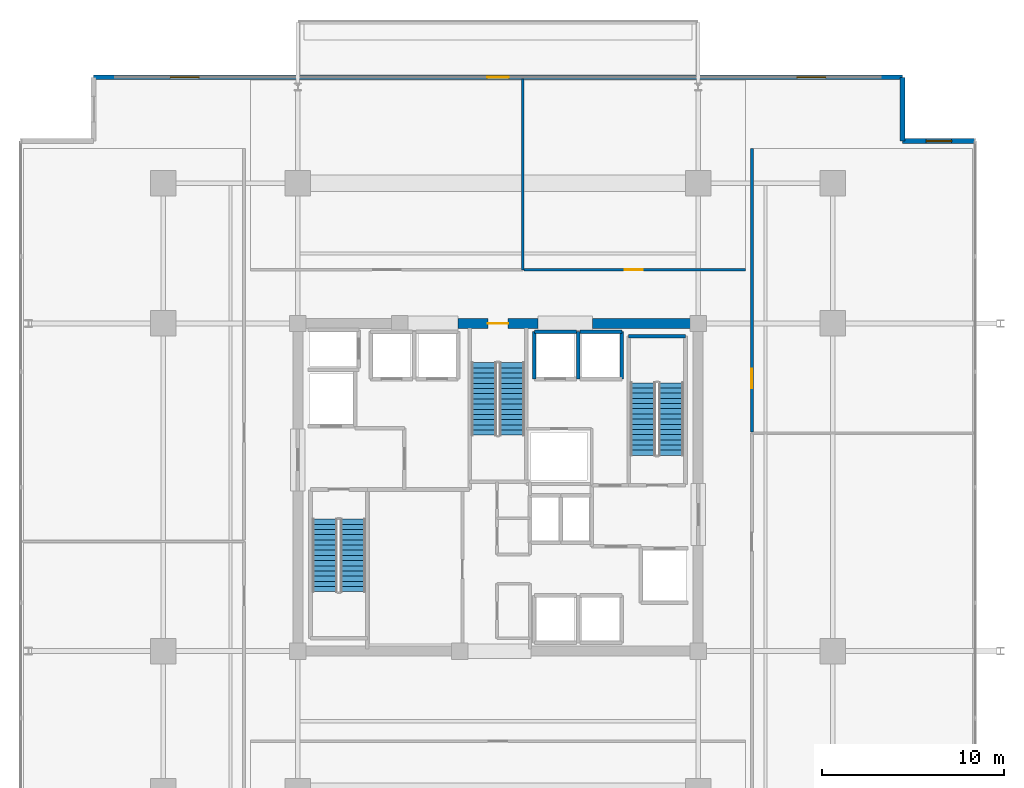
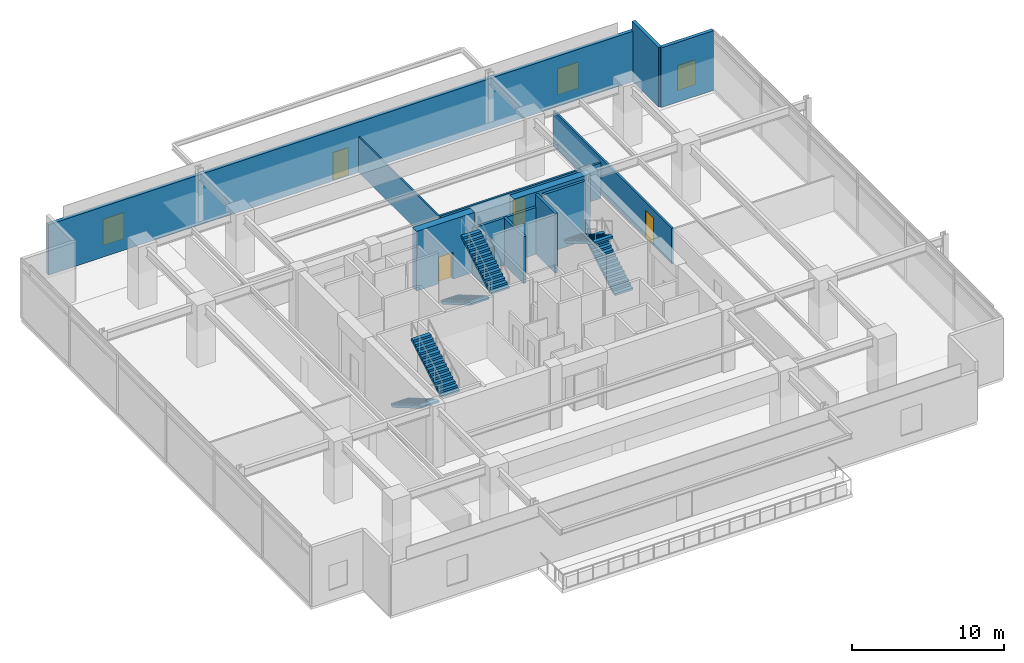
# One storey, part 16 of 21: 14 walls, 6 stair flights, 4 doors, 3 windows, 7 openings, 3 elements without a shape of their own.
"""IFC4 building model written with IfcOpenShell, lengths in metres."""

from ifc_helpers import new_model, si_unit, direction, frame, frame_2d, origin, place, context, subcontext, project, spatial, polyline, rectangle, outline, extrude, material, layer, layer_set, type_object, element, fill, aggregate, save


model = new_model("IFC4")

# Units and contexts
model_context = context("Model", 3, precision=1e-05, world=origin(), true_north=direction((0.0, 1.0)))
body_context = subcontext(model_context, "Body", "Model", "MODEL_VIEW")
ifc_project = project(units=[si_unit("LENGTHUNIT", "METRE"), si_unit("AREAUNIT", "SQUARE_METRE"), si_unit("VOLUMEUNIT", "CUBIC_METRE"), si_unit("PLANEANGLEUNIT", "RADIAN"), si_unit("MASSUNIT", "GRAM", prefix="KILO")], contexts=[model_context])

# Site, building, storey
site_placement = place(None, origin())
site = spatial("IfcSite", under=ifc_project, at=site_placement, CompositionType="ELEMENT")
building_placement = place(site_placement, origin())
building = spatial("IfcBuilding", under=site, at=building_placement, Name="Kovane Verandah Tower", CompositionType="ELEMENT")
storey_placement = place(building_placement, frame((0.0, 0.0, 238.199951171875)))
storey = spatial("IfcBuildingStorey", under=building, at=storey_placement, Name="L55", CompositionType="ELEMENT", Elevation=238.199951171875)

# Wall, opening, door
ifc_material_1 = material(Name="Fire-Rated Gypsum Stud Partition", Category="gypsum")
ifc_layer_1 = layer(ifc_material_1, 0.14990234375)
ifc_layer_set_1 = layer_set([ifc_layer_1], Name="Fire-Rated Gypsum Stud Partition")
wall_type_1 = type_object("IfcWallType", Name="WL-COR-150", PredefinedType="PARTITIONING", material=ifc_layer_set_1)
wall_1_placement = place(storey_placement, frame((41.429931640625, 39.449951171875, 0.0), z_axis=(0.0, 0.0, 1.0), x_axis=(1.0, 0.0, 0.0)))
wall_1 = element("IfcWall", 1, at=wall_1_placement, inside=storey, type_object=wall_type_1, Name="L55 Focus Studio N2 Corridor Partition", PredefinedType="PARTITIONING", context=body_context, shape_type="SweptSolid", body=[
    extrude(rectangle(XDim=12.170166015625, YDim=0.14990234375, at=frame_2d((6.0849609375, 0.0))), origin(), (0.0, 0.0, 1.0), 2.85009765625),
])
opening_1_placement = place(wall_1_placement, frame((5.534912109375, 0.0, 0.0)))
opening_1 = element("IfcOpeningElement", 2, at=opening_1_placement, cuts=wall_1, Name="Opening DR-L55-016", PredefinedType="OPENING", context=body_context, shape_type="SweptSolid", body=[
    extrude(rectangle(XDim=1.0, YDim=2.14990234375, at=frame_2d((0.5, 1.074951171875))), frame((0.0, 0.074951171875, 0.0), z_axis=(0.0, -1.0, 0.0), x_axis=(1.0, 0.0, 0.0)), (0.0, 0.0, 1.0), 0.14990234375),
])
ifc_material_2 = material(Name="FSC Spotted-Gum Timber Fire-Rated Office Door", Category="wood")
door_type_1 = type_object("IfcDoorType", Name="DR-OFF-1000", OperationType="SINGLE_SWING_LEFT", PredefinedType="DOOR", material=ifc_material_2)
door_1_placement = place(opening_1_placement, origin())
door_1 = element("IfcDoor", 3, at=door_1_placement, inside=storey, type_object=door_type_1, Name="L55 Focus Studio N2 Entrance Door", OperationType="SINGLE_SWING_RIGHT", OverallHeight=2.14990234375, OverallWidth=1.0, PredefinedType="DOOR", context=body_context, shape_type="SweptSolid", body=[
    extrude(rectangle(XDim=1.0, YDim=2.14990234375, at=frame_2d((0.5, 1.074951171875))), frame((0.0, 0.02490234375, 0.0), z_axis=(0.0, -1.0, 0.0), x_axis=(1.0, 0.0, 0.0)), (0.0, 0.0, 1.0), 0.050048828125),
])
fill(opening_1, door_1)

wall_2_placement = place(storey_placement, frame((53.949951171875, 30.5498046875, 0.0), z_axis=(0.0, 0.0, 1.0), x_axis=(0.0, 1.0, 0.0)))
wall_2 = element("IfcWall", 4, at=wall_2_placement, inside=storey, type_object=wall_type_1, Name="L55 Executive Office E2 Corridor Partition", PredefinedType="PARTITIONING", context=body_context, shape_type="SweptSolid", body=[
    extrude(rectangle(XDim=15.573486328125, YDim=0.14990234375, at=frame_2d((7.78662109375, 0.0))), origin(), (0.0, 0.0, 1.0), 2.85009765625),
])
opening_2_placement = place(wall_2_placement, frame((2.400146484375, 0.0, 0.0)))
opening_2 = element("IfcOpeningElement", 5, at=opening_2_placement, cuts=wall_2, Name="Opening DR-L55-012", PredefinedType="OPENING", context=body_context, shape_type="SweptSolid", body=[
    extrude(rectangle(XDim=1.050048828125, YDim=2.199951171875, at=frame_2d((0.52490234375, 1.10009765625))), frame((0.0, 0.074951171875, 0.0), z_axis=(0.0, -1.0, 0.0), x_axis=(1.0, 0.0, 0.0)), (0.0, 0.0, 1.0), 0.14990234375),
])
ifc_material_3 = material(Name="FSC Blackbutt Timber Fire-Rated Executive Door", Category="wood")
door_type_2 = type_object("IfcDoorType", Name="DR-EXEC-1050", OperationType="SINGLE_SWING_LEFT", PredefinedType="DOOR", material=ifc_material_3)
door_2_placement = place(opening_2_placement, origin())
door_2 = element("IfcDoor", 6, at=door_2_placement, inside=storey, type_object=door_type_2, Name="L55 Executive Office E2 Entrance Door", OperationType="SINGLE_SWING_LEFT", OverallHeight=2.199951171875, OverallWidth=1.050048828125, PredefinedType="DOOR", context=body_context, shape_type="SweptSolid", body=[
    extrude(rectangle(XDim=1.050048828125, YDim=2.199951171875, at=frame_2d((0.52490234375, 1.10009765625))), frame((0.0, 0.02490234375, 0.0), z_axis=(0.0, -1.0, 0.0), x_axis=(1.0, 0.0, 0.0)), (0.0, 0.0, 1.0), 0.050048828125),
])
fill(opening_2, door_2)

ifc_material_4 = material(Name="Concrete C60/75", Category="concrete")
ifc_layer_2 = layer(ifc_material_4, 0.550048828125)
ifc_layer_set_2 = layer_set([ifc_layer_2], Name="Concrete C60/75")
wall_type_2 = type_object("IfcWallType", Name="WL-CORE-550", PredefinedType="SHEAR", material=ifc_layer_set_2)
wall_3_placement = place(storey_placement, frame((37.800048828125, 36.5, 0.0), z_axis=(0.0, 0.0, 1.0), x_axis=(1.0, 0.0, 0.0)))
wall_3 = element("IfcWall", 7, at=wall_3_placement, inside=storey, type_object=wall_type_2, Name="L55 Core Shear Wall CN-2", PredefinedType="SHEAR", context=body_context, shape_type="SweptSolid", body=[
    extrude(rectangle(XDim=4.39990234375, YDim=0.550048828125, at=frame_2d((2.199951171875, 0.0))), origin(), (0.0, 0.0, 1.0), 4.78515625),
])
opening_3_placement = place(wall_3_placement, frame((1.64990234375, 0.0, 0.0)))
opening_3 = element("IfcOpeningElement", 8, at=opening_3_placement, cuts=wall_3, Name="Opening DR-L55-010", PredefinedType="OPENING", context=body_context, shape_type="SweptSolid", body=[
    extrude(rectangle(XDim=1.10009765625, YDim=2.14990234375, at=frame_2d((0.550048828125, 1.074951171875))), frame((0.0, 0.27490234375, 0.0), z_axis=(0.0, -1.0, 0.0), x_axis=(1.0, 0.0, 0.0)), (0.0, 0.0, 1.0), 0.550048828125),
])
ifc_material_5 = material(Name="Fire-Rated Steel Exit Door", Category="steel")
door_type_3 = type_object("IfcDoorType", Name="DR-STAIR-1100", OperationType="SINGLE_SWING_LEFT", PredefinedType="DOOR", material=ifc_material_5)
door_3_placement = place(opening_3_placement, origin())
door_3 = element("IfcDoor", 9, at=door_3_placement, inside=storey, type_object=door_type_3, Name="L55 ST-03 Fire Exit Stair Door", OperationType="SINGLE_SWING_LEFT", OverallHeight=2.14990234375, OverallWidth=1.10009765625, PredefinedType="DOOR", context=body_context, shape_type="SweptSolid", body=[
    extrude(rectangle(XDim=1.10009765625, YDim=2.14990234375, at=frame_2d((0.550048828125, 1.074951171875))), frame((0.0, 0.02490234375, 0.0), z_axis=(0.0, -1.0, 0.0), x_axis=(1.0, 0.0, 0.0)), (0.0, 0.0, 1.0), 0.050048828125),
])
fill(opening_3, door_3)

# Walls
wall_4_placement = place(storey_placement, frame((45.199951171875, 36.5, 0.0), z_axis=(0.0, 0.0, 1.0), x_axis=(1.0, 0.0, 0.0)))
element("IfcWall", 10, at=wall_4_placement, inside=storey, type_object=wall_type_2, Name="L55 Core Shear Wall CN-3", PredefinedType="SHEAR", context=body_context, shape_type="SweptSolid", body=[
    extrude(rectangle(XDim=5.800048828125, YDim=0.550048828125, at=frame_2d((2.89990234375, 0.0))), origin(), (0.0, 0.0, 1.0), 4.78515625),
])
ifc_material_6 = material(Name="Concrete C45/55 Lift Shaft Wall", Category="concrete")
ifc_layer_3 = layer(ifc_material_6, 0.199951171875)
ifc_layer_set_3 = layer_set([ifc_layer_3], Name="Concrete C45/55 Lift Shaft Wall")
wall_type_3 = type_object("IfcWallType", Name="WL-LIFT-200", PredefinedType="SOLIDWALL", material=ifc_layer_set_3)
wall_5_placement = place(storey_placement, frame((44.300048828125, 36.050048828125, 0.0), z_axis=(0.0, 0.0, 1.0), x_axis=(-1.0, 0.0, 0.0)))
element("IfcWall", 11, at=wall_5_placement, inside=storey, type_object=wall_type_3, Name="L55 Lift SL-01 N Shaft Wall", PredefinedType="SOLIDWALL", context=body_context, shape_type="SweptSolid", body=[
    extrude(rectangle(XDim=2.300048828125, YDim=0.199951171875, at=frame_2d((1.14990234375, 0.0))), origin(), (0.0, 0.0, 1.0), 3.76513671875),
])
for number, where, z_axis, x_axis, name in (
    (12, (42.0, 36.050048828125, 0.0), (0.0, 0.0, 1.0), (0.0, -1.0, 0.0), "L55 Lift SL-01 W Shaft Wall"),
    (13, (44.39990234375, 33.449951171875, 0.0), (0.0, 0.0, 1.0), (0.0, 1.0, 0.0), "L55 Lift OL-01 and SL-01 Shared Shaft Wall"),
):
    element("IfcWall", number, at=place(storey_placement, frame(where, z_axis=z_axis, x_axis=x_axis)), inside=storey, type_object=wall_type_3, Name=name, PredefinedType="SOLIDWALL", context=body_context, shape_type="SweptSolid", body=[
        extrude(rectangle(XDim=2.60009765625, YDim=0.199951171875, at=frame_2d((1.300048828125, 0.0))), origin(), (0.0, 0.0, 1.0), 3.76513671875),
    ])
wall_6_placement = place(storey_placement, frame((46.800048828125, 36.050048828125, 0.0), z_axis=(0.0, 0.0, 1.0), x_axis=(-1.0, 0.0, 0.0)))
element("IfcWall", 14, at=wall_6_placement, inside=storey, type_object=wall_type_3, Name="L55 Lift OL-01 N Shaft Wall", PredefinedType="SOLIDWALL", context=body_context, shape_type="SweptSolid", body=[
    extrude(rectangle(XDim=2.300048828125, YDim=0.199951171875, at=frame_2d((1.14990234375, 0.0))), origin(), (0.0, 0.0, 1.0), 3.76513671875),
])
wall_7_placement = place(storey_placement, frame((46.800048828125, 33.449951171875, 0.0), z_axis=(0.0, 0.0, 1.0), x_axis=(0.0, 1.0, 0.0)))
element("IfcWall", 15, at=wall_7_placement, inside=storey, type_object=wall_type_3, Name="L55 Lift OL-01 E Shaft Wall", PredefinedType="SOLIDWALL", context=body_context, shape_type="SweptSolid", body=[
    extrude(rectangle(XDim=2.60009765625, YDim=0.199951171875, at=frame_2d((1.300048828125, 0.0))), origin(), (0.0, 0.0, 1.0), 4.78515625),
])
ifc_material_7 = material(Name="Acoustic Fire-Rated Gypsum Partition", Category="gypsum")
ifc_layer_4 = layer(ifc_material_7, 0.1201171875)
ifc_layer_set_4 = layer_set([ifc_layer_4], Name="Acoustic Fire-Rated Gypsum Partition")
wall_type_4 = type_object("IfcWallType", Name="WL-PART-120", PredefinedType="PARTITIONING", material=ifc_layer_set_4)
wall_8_placement = place(storey_placement, frame((41.360107421875, 39.449951171875, 0.0), z_axis=(0.0, 0.0, 1.0), x_axis=(0.0, 1.0, 0.0)))
element("IfcWall", 16, at=wall_8_placement, inside=storey, type_object=wall_type_4, Name="L55 Sky Lobby Transfer Lounge N1 Dividing Partition", PredefinedType="PARTITIONING", context=body_context, shape_type="SweptSolid", body=[
    extrude(rectangle(XDim=10.473388671875, YDim=0.1201171875, at=frame_2d((5.23681640625, 0.0))), origin(), (0.0, 0.0, 1.0), 2.85009765625),
])
ifc_material_8 = material(Name="Concrete C45/55", Category="concrete")
ifc_layer_5 = layer(ifc_material_8, 0.199951171875)
ifc_layer_set_5 = layer_set([ifc_layer_5], Name="Concrete C45/55")
wall_type_5 = type_object("IfcWallType", Name="WL-SHAFT-200", PredefinedType="SOLIDWALL", material=ifc_layer_set_5)
wall_9_placement = place(storey_placement, frame((47.179931640625, 35.800048828125, 0.0), z_axis=(0.0, 0.0, 1.0), x_axis=(1.0, 0.0, 0.0)))
element("IfcWall", 17, at=wall_9_placement, inside=storey, type_object=wall_type_5, Name="W-L55-ST02-N", PredefinedType="SOLIDWALL", context=body_context, shape_type="SweptSolid", body=[
    extrude(rectangle(XDim=3.1201171875, YDim=0.199951171875, at=frame_2d((1.56005859375, 0.0))), origin(), (0.0, 0.0, 1.0), 4.78515625),
])

# Wall, openings, door, windows
ifc_material_9 = material(Name="Concrete C45/55 Insulated Spandrel Wall", Category="concrete")
ifc_layer_6 = layer(ifc_material_9, 0.260009765625)
ifc_layer_set_6 = layer_set([ifc_layer_6], Name="Concrete C45/55 Insulated Spandrel Wall")
wall_type_6 = type_object("IfcWallType", Name="WL-SPANDREL-260", PredefinedType="PARAPET", material=ifc_layer_set_6)
wall_10_placement = place(storey_placement, frame((62.220703125, 50.0234375, 0.0), z_axis=(0.0, 0.0, 1.0), x_axis=(-1.0, 0.0, 0.0)))
wall_10 = element("IfcWall", 18, at=wall_10_placement, inside=storey, type_object=wall_type_6, Name="L55 N Verandah Access Facade Wall", PredefinedType="PARAPET", context=body_context, shape_type="SweptSolid", body=[
    extrude(rectangle(XDim=44.44140625, YDim=0.260009765625, at=frame_2d((22.220703125, 0.0))), origin(), (0.0, 0.0, 1.0), 4.047119140625),
])
opening_4_placement = place(wall_10_placement, frame((4.199951171875, 0.0, 0.85009765625)))
opening_4 = element("IfcOpeningElement", 19, at=opening_4_placement, cuts=wall_10, Name="Opening W-02", PredefinedType="OPENING", context=body_context, shape_type="SweptSolid", body=[
    extrude(rectangle(XDim=1.60009765625, YDim=2.10009765625, at=frame_2d((0.800048828125, 1.050048828125))), frame((0.0, 0.1298828125, 0.0), z_axis=(0.0, -1.0, 0.0), x_axis=(1.0, 0.0, 0.0)), (0.0, 0.0, 1.0), 0.260009765625),
])
opening_5_placement = place(wall_10_placement, frame((21.62060546875, 0.0, 0.0)))
opening_5 = element("IfcOpeningElement", 20, at=opening_5_placement, cuts=wall_10, Name="Opening DR-L55-001", PredefinedType="OPENING", context=body_context, shape_type="SweptSolid", body=[
    extrude(rectangle(XDim=1.199951171875, YDim=2.199951171875, at=frame_2d((0.60009765625, 1.10009765625))), frame((0.0, 0.1298828125, 0.0), z_axis=(0.0, -1.0, 0.0), x_axis=(1.0, 0.0, 0.0)), (0.0, 0.0, 1.0), 0.260009765625),
])
opening_6_placement = place(wall_10_placement, frame((38.64111328125, 0.0, 0.85009765625)))
opening_6 = element("IfcOpeningElement", 21, at=opening_6_placement, cuts=wall_10, Name="Opening W-02", PredefinedType="OPENING", context=body_context, shape_type="SweptSolid", body=[
    extrude(rectangle(XDim=1.60009765625, YDim=2.10009765625, at=frame_2d((0.800048828125, 1.050048828125))), frame((0.0, 0.1298828125, 0.0), z_axis=(0.0, -1.0, 0.0), x_axis=(1.0, 0.0, 0.0)), (0.0, 0.0, 1.0), 0.260009765625),
])
ifc_material_10 = material(Name="Cyclone-Rated Glazed Balcony Leaf Door", Category="aluminium")
door_type_4 = type_object("IfcDoorType", Name="DR-BAL-1200x2200", OperationType="SINGLE_SWING_LEFT", PredefinedType="DOOR", material=ifc_material_10)
door_4_placement = place(opening_5_placement, origin())
door_4 = element("IfcDoor", 22, at=door_4_placement, inside=storey, type_object=door_type_4, Name="L55 N Planted Balcony Access Door", OperationType="SINGLE_SWING_LEFT", OverallHeight=2.199951171875, OverallWidth=1.199951171875, PredefinedType="DOOR", context=body_context, shape_type="SweptSolid", body=[
    extrude(rectangle(XDim=1.199951171875, YDim=2.199951171875, at=frame_2d((0.60009765625, 1.10009765625))), frame((0.0, 0.02490234375, 0.0), z_axis=(0.0, -1.0, 0.0), x_axis=(1.0, 0.0, 0.0)), (0.0, 0.0, 1.0), 0.050048828125),
])
fill(opening_5, door_4)
ifc_material_11 = material(Name="Clear Low-E Laminated Double Glazing in Anodised Frame", Category="glass")
window_type_1 = type_object("IfcWindowType", Name="WN-OPER-1600x2100", PartitioningType="SINGLE_PANEL", PredefinedType="WINDOW", material=ifc_material_11)
window_1_placement = place(opening_4_placement, origin())
window_1 = element("IfcWindow", 23, at=window_1_placement, inside=storey, type_object=window_type_1, Name="L55 N Verandah View Window 1", OverallHeight=2.10009765625, OverallWidth=1.60009765625, PartitioningType="SINGLE_PANEL", PredefinedType="WINDOW", context=body_context, shape_type="SweptSolid", body=[
    extrude(rectangle(XDim=1.60009765625, YDim=2.10009765625, at=frame_2d((0.800048828125, 1.050048828125))), frame((0.0, 0.030029296875, 0.0), z_axis=(0.0, -1.0, 0.0), x_axis=(1.0, 0.0, 0.0)), (0.0, 0.0, 1.0), 0.06005859375),
])
fill(opening_4, window_1)
window_2_placement = place(opening_6_placement, origin())
window_2 = element("IfcWindow", 24, at=window_2_placement, inside=storey, type_object=window_type_1, Name="L55 N Verandah View Window 2", OverallHeight=2.10009765625, OverallWidth=1.60009765625, PartitioningType="SINGLE_PANEL", PredefinedType="WINDOW", context=body_context, shape_type="SweptSolid", body=[
    extrude(rectangle(XDim=1.60009765625, YDim=2.10009765625, at=frame_2d((0.800048828125, 1.050048828125))), frame((0.0, 0.030029296875, 0.0), z_axis=(0.0, -1.0, 0.0), x_axis=(1.0, 0.0, 0.0)), (0.0, 0.0, 1.0), 0.06005859375),
])
fill(opening_6, window_2)

# Wall, opening, window
wall_11_placement = place(storey_placement, frame((66.220703125, 46.5234375, 0.0), z_axis=(0.0, 0.0, 1.0), x_axis=(-1.0, 0.0, 0.0)))
wall_11 = element("IfcWall", 25, at=wall_11_placement, inside=storey, type_object=wall_type_6, Name="L55 NE Notch Cheek Wall 1", PredefinedType="PARAPET", context=body_context, shape_type="SweptSolid", body=[
    extrude(rectangle(XDim=4.0, YDim=0.260009765625, at=frame_2d((2.0, 0.0))), origin(), (0.0, 0.0, 1.0), 4.78515625),
])
opening_7_placement = place(wall_11_placement, frame((1.300048828125, 0.0, 0.85009765625)))
opening_7 = element("IfcOpeningElement", 26, at=opening_7_placement, cuts=wall_11, Name="Opening W-01", PredefinedType="OPENING", context=body_context, shape_type="SweptSolid", body=[
    extrude(rectangle(XDim=1.39990234375, YDim=2.0, at=frame_2d((0.699951171875, 1.0))), frame((0.0, 0.1298828125, 0.0), z_axis=(0.0, -1.0, 0.0), x_axis=(1.0, 0.0, 0.0)), (0.0, 0.0, 1.0), 0.260009765625),
])
window_type_2 = type_object("IfcWindowType", Name="WN-OPER-1400x2000", PartitioningType="SINGLE_PANEL", PredefinedType="WINDOW", material=ifc_material_11)
window_3_placement = place(opening_7_placement, origin())
window_3 = element("IfcWindow", 27, at=window_3_placement, inside=storey, type_object=window_type_2, Name="L55 NE Re-Entrant Corner Operable Window", OverallHeight=2.0, OverallWidth=1.39990234375, PartitioningType="SINGLE_PANEL", PredefinedType="WINDOW", context=body_context, shape_type="SweptSolid", body=[
    extrude(rectangle(XDim=1.39990234375, YDim=2.0, at=frame_2d((0.699951171875, 1.0))), frame((0.0, 0.030029296875, 0.0), z_axis=(0.0, -1.0, 0.0), x_axis=(1.0, 0.0, 0.0)), (0.0, 0.0, 1.0), 0.06005859375),
])
fill(opening_7, window_3)

# Wall
wall_12_placement = place(storey_placement, frame((62.220703125, 46.5234375, 0.0), z_axis=(0.0, 0.0, 1.0), x_axis=(0.0, 1.0, 0.0)))
element("IfcWall", 28, at=wall_12_placement, inside=storey, type_object=wall_type_6, Name="L55 NE Notch Cheek Wall 2", PredefinedType="PARAPET", context=body_context, shape_type="SweptSolid", body=[
    extrude(rectangle(XDim=3.5, YDim=0.260009765625, at=frame_2d((1.75, 0.0))), origin(), (0.0, 0.0, 1.0), 4.78515625),
])

# Stair, stair flights
stair_type = type_object("IfcStairType", Name="ST-CORE-1380", PredefinedType="HALF_TURN_STAIR", material=ifc_material_8)
stair_1_placement = place(storey_placement, origin())
stair_1 = element("IfcStair", 29, at=stair_1_placement, inside=storey, type_object=stair_type, Name="L55 Exit Stair ST-01", PredefinedType="HALF_TURN_STAIR")
stair_flight_type = type_object("IfcStairFlightType", Name="STF-CORE-1380", PredefinedType="STRAIGHT", material=ifc_material_8)
stair_flight_1_placement = place(storey_placement, frame((30.489990234375, 25.75, 0.0), z_axis=(0.0, 0.0, 1.0), x_axis=(0.0, -1.0, 0.0)))
stair_flight_1 = element("IfcStairFlight", 30, at=stair_flight_1_placement, type_object=stair_flight_type, Name="ST-01 flight 1", NumberOfRisers=15, NumberOfTreads=14, PredefinedType="STRAIGHT", RiserHeight=0.166666667, TreadLength=0.285, context=body_context, shape_type="SweptSolid", body=[
    extrude(outline(polyline([(0.0, 0.0), (0.0, 0.166748046875), (0.284912109375, 0.166748046875), (0.284912109375, 0.333251953125), (0.570068359375, 0.333251953125), (0.570068359375, 0.5), (0.85498046875, 0.5), (0.85498046875, 0.666748046875), (1.139892578125, 0.666748046875), (1.139892578125, 0.833251953125), (1.425048828125, 0.833251953125), (1.425048828125, 1.0), (1.7099609375, 1.0), (1.7099609375, 1.166748046875), (1.9951171875, 1.166748046875), (1.9951171875, 1.333251953125), (2.280029296875, 1.333251953125), (2.280029296875, 1.5), (2.56494140625, 1.5), (2.56494140625, 1.666748046875), (2.85009765625, 1.666748046875), (2.85009765625, 1.833251953125), (3.135009765625, 1.833251953125), (3.135009765625, 2.0), (3.419921875, 2.0), (3.419921875, 2.166748046875), (3.705078125, 2.166748046875), (3.705078125, 2.333251953125), (3.989990234375, 2.333251953125), (3.989990234375, 2.5), (3.989990234375, 2.15966796875), (0.296875, 0.0), (0.0, 0.0)])), frame((0.0, 0.68994140625, 0.0), z_axis=(0.0, -1.0, 0.0), x_axis=(1.0, 0.0, 0.0)), (0.0, 0.0, 1.0), 1.3798828125),
])
stair_flight_2_placement = place(storey_placement, frame((32.030029296875, 21.760009765625, 2.5), z_axis=(0.0, 0.0, 1.0), x_axis=(0.0, 1.0, 0.0)))
stair_flight_2 = element("IfcStairFlight", 31, at=stair_flight_2_placement, type_object=stair_flight_type, Name="ST-01 flight 2", NumberOfRisers=15, NumberOfTreads=14, PredefinedType="STRAIGHT", RiserHeight=0.166666667, TreadLength=0.285, context=body_context, shape_type="SweptSolid", body=[
    extrude(outline(polyline([(0.0, 0.0), (0.0, 0.166748046875), (0.284912109375, 0.166748046875), (0.284912109375, 0.333251953125), (0.570068359375, 0.333251953125), (0.570068359375, 0.5), (0.85498046875, 0.5), (0.85498046875, 0.666748046875), (1.139892578125, 0.666748046875), (1.139892578125, 0.833251953125), (1.425048828125, 0.833251953125), (1.425048828125, 1.0), (1.7099609375, 1.0), (1.7099609375, 1.166748046875), (1.9951171875, 1.166748046875), (1.9951171875, 1.333251953125), (2.280029296875, 1.333251953125), (2.280029296875, 1.5), (2.56494140625, 1.5), (2.56494140625, 1.666748046875), (2.85009765625, 1.666748046875), (2.85009765625, 1.833251953125), (3.135009765625, 1.833251953125), (3.135009765625, 2.0), (3.419921875, 2.0), (3.419921875, 2.166748046875), (3.705078125, 2.166748046875), (3.705078125, 2.333251953125), (3.989990234375, 2.333251953125), (3.989990234375, 2.5), (3.989990234375, 2.15966796875), (0.296875, 0.0), (0.0, 0.0)])), frame((0.0, 0.68994140625, 0.0), z_axis=(0.0, -1.0, 0.0), x_axis=(1.0, 0.0, 0.0)), (0.0, 0.0, 1.0), 1.3798828125),
])
aggregate(stair_1, [stair_flight_1, stair_flight_2])

stair_2_placement = place(storey_placement, origin())
stair_2 = element("IfcStair", 32, at=stair_2_placement, inside=storey, type_object=stair_type, Name="L55 Exit Stair ST-02", PredefinedType="HALF_TURN_STAIR")
stair_flight_3_placement = place(storey_placement, frame((49.510009765625, 29.25, 0.0), z_axis=(0.0, 0.0, 1.0), x_axis=(0.0, 1.0, 0.0)))
stair_flight_3 = element("IfcStairFlight", 33, at=stair_flight_3_placement, type_object=stair_flight_type, Name="ST-02 flight 1", NumberOfRisers=15, NumberOfTreads=14, PredefinedType="STRAIGHT", RiserHeight=0.166666667, TreadLength=0.285, context=body_context, shape_type="SweptSolid", body=[
    extrude(outline(polyline([(0.0, 0.0), (0.0, 0.166748046875), (0.284912109375, 0.166748046875), (0.284912109375, 0.333251953125), (0.570068359375, 0.333251953125), (0.570068359375, 0.5), (0.85498046875, 0.5), (0.85498046875, 0.666748046875), (1.139892578125, 0.666748046875), (1.139892578125, 0.833251953125), (1.425048828125, 0.833251953125), (1.425048828125, 1.0), (1.7099609375, 1.0), (1.7099609375, 1.166748046875), (1.9951171875, 1.166748046875), (1.9951171875, 1.333251953125), (2.280029296875, 1.333251953125), (2.280029296875, 1.5), (2.56494140625, 1.5), (2.56494140625, 1.666748046875), (2.85009765625, 1.666748046875), (2.85009765625, 1.833251953125), (3.135009765625, 1.833251953125), (3.135009765625, 2.0), (3.419921875, 2.0), (3.419921875, 2.166748046875), (3.705078125, 2.166748046875), (3.705078125, 2.333251953125), (3.989990234375, 2.333251953125), (3.989990234375, 2.5), (3.989990234375, 2.15966796875), (0.296875, 0.0), (0.0, 0.0)])), frame((0.0, 0.68994140625, 0.0), z_axis=(0.0, -1.0, 0.0), x_axis=(1.0, 0.0, 0.0)), (0.0, 0.0, 1.0), 1.3798828125),
])
stair_flight_4_placement = place(storey_placement, frame((47.969970703125, 33.239990234375, 2.5), z_axis=(0.0, 0.0, 1.0), x_axis=(0.0, -1.0, 0.0)))
stair_flight_4 = element("IfcStairFlight", 34, at=stair_flight_4_placement, type_object=stair_flight_type, Name="ST-02 flight 2", NumberOfRisers=15, NumberOfTreads=14, PredefinedType="STRAIGHT", RiserHeight=0.166666667, TreadLength=0.285, context=body_context, shape_type="SweptSolid", body=[
    extrude(outline(polyline([(0.0, 0.0), (0.0, 0.166748046875), (0.284912109375, 0.166748046875), (0.284912109375, 0.333251953125), (0.570068359375, 0.333251953125), (0.570068359375, 0.5), (0.85498046875, 0.5), (0.85498046875, 0.666748046875), (1.139892578125, 0.666748046875), (1.139892578125, 0.833251953125), (1.425048828125, 0.833251953125), (1.425048828125, 1.0), (1.7099609375, 1.0), (1.7099609375, 1.166748046875), (1.9951171875, 1.166748046875), (1.9951171875, 1.333251953125), (2.280029296875, 1.333251953125), (2.280029296875, 1.5), (2.56494140625, 1.5), (2.56494140625, 1.666748046875), (2.85009765625, 1.666748046875), (2.85009765625, 1.833251953125), (3.135009765625, 1.833251953125), (3.135009765625, 2.0), (3.419921875, 2.0), (3.419921875, 2.166748046875), (3.705078125, 2.166748046875), (3.705078125, 2.333251953125), (3.989990234375, 2.333251953125), (3.989990234375, 2.5), (3.989990234375, 2.15966796875), (0.296875, 0.0), (0.0, 0.0)])), frame((0.0, 0.68994140625, 0.0), z_axis=(0.0, -1.0, 0.0), x_axis=(1.0, 0.0, 0.0)), (0.0, 0.0, 1.0), 1.3798828125),
])
aggregate(stair_2, [stair_flight_3, stair_flight_4])

stair_3_placement = place(storey_placement, origin())
stair_3 = element("IfcStair", 35, at=stair_3_placement, inside=storey, type_object=stair_type, Name="L55 Exit Stair ST-03", PredefinedType="HALF_TURN_STAIR")
stair_flight_5_placement = place(storey_placement, frame((39.22998046875, 34.35009765625, 0.0), z_axis=(0.0, 0.0, 1.0), x_axis=(0.0, -1.0, 0.0)))
stair_flight_5 = element("IfcStairFlight", 36, at=stair_flight_5_placement, type_object=stair_flight_type, Name="ST-03 flight 1", NumberOfRisers=15, NumberOfTreads=14, PredefinedType="STRAIGHT", RiserHeight=0.166666667, TreadLength=0.285, context=body_context, shape_type="SweptSolid", body=[
    extrude(outline(polyline([(0.0, 0.0), (0.0, 0.166748046875), (0.284912109375, 0.166748046875), (0.284912109375, 0.333251953125), (0.570068359375, 0.333251953125), (0.570068359375, 0.5), (0.85498046875, 0.5), (0.85498046875, 0.666748046875), (1.139892578125, 0.666748046875), (1.139892578125, 0.833251953125), (1.425048828125, 0.833251953125), (1.425048828125, 1.0), (1.7099609375, 1.0), (1.7099609375, 1.166748046875), (1.9951171875, 1.166748046875), (1.9951171875, 1.333251953125), (2.280029296875, 1.333251953125), (2.280029296875, 1.5), (2.56494140625, 1.5), (2.56494140625, 1.666748046875), (2.85009765625, 1.666748046875), (2.85009765625, 1.833251953125), (3.135009765625, 1.833251953125), (3.135009765625, 2.0), (3.419921875, 2.0), (3.419921875, 2.166748046875), (3.705078125, 2.166748046875), (3.705078125, 2.333251953125), (3.989990234375, 2.333251953125), (3.989990234375, 2.5), (3.989990234375, 2.15966796875), (0.296875, 0.0), (0.0, 0.0)])), frame((0.0, 0.68994140625, 0.0), z_axis=(0.0, -1.0, 0.0), x_axis=(1.0, 0.0, 0.0)), (0.0, 0.0, 1.0), 1.3798828125),
])
stair_flight_6_placement = place(storey_placement, frame((40.77001953125, 30.360107421875, 2.5), z_axis=(0.0, 0.0, 1.0), x_axis=(0.0, 1.0, 0.0)))
stair_flight_6 = element("IfcStairFlight", 37, at=stair_flight_6_placement, type_object=stair_flight_type, Name="ST-03 flight 2", NumberOfRisers=15, NumberOfTreads=14, PredefinedType="STRAIGHT", RiserHeight=0.166666667, TreadLength=0.285, context=body_context, shape_type="SweptSolid", body=[
    extrude(outline(polyline([(0.0, 0.0), (0.0, 0.166748046875), (0.284912109375, 0.166748046875), (0.284912109375, 0.333251953125), (0.570068359375, 0.333251953125), (0.570068359375, 0.5), (0.85498046875, 0.5), (0.85498046875, 0.666748046875), (1.139892578125, 0.666748046875), (1.139892578125, 0.833251953125), (1.425048828125, 0.833251953125), (1.425048828125, 1.0), (1.7099609375, 1.0), (1.7099609375, 1.166748046875), (1.9951171875, 1.166748046875), (1.9951171875, 1.333251953125), (2.280029296875, 1.333251953125), (2.280029296875, 1.5), (2.56494140625, 1.5), (2.56494140625, 1.666748046875), (2.85009765625, 1.666748046875), (2.85009765625, 1.833251953125), (3.135009765625, 1.833251953125), (3.135009765625, 2.0), (3.419921875, 2.0), (3.419921875, 2.166748046875), (3.705078125, 2.166748046875), (3.705078125, 2.333251953125), (3.989990234375, 2.333251953125), (3.989990234375, 2.5), (3.989990234375, 2.15966796875), (0.296875, 0.0), (0.0, 0.0)])), frame((0.0, 0.68994140625, 0.0), z_axis=(0.0, -1.0, 0.0), x_axis=(1.0, 0.0, 0.0)), (0.0, 0.0, 1.0), 1.3798828125),
])
aggregate(stair_3, [stair_flight_5, stair_flight_6])

save(model, "model.ifc")
